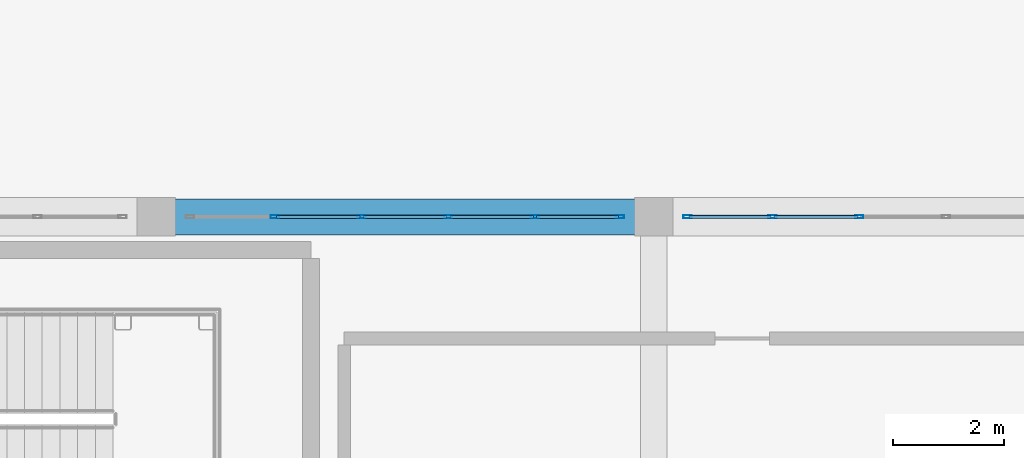
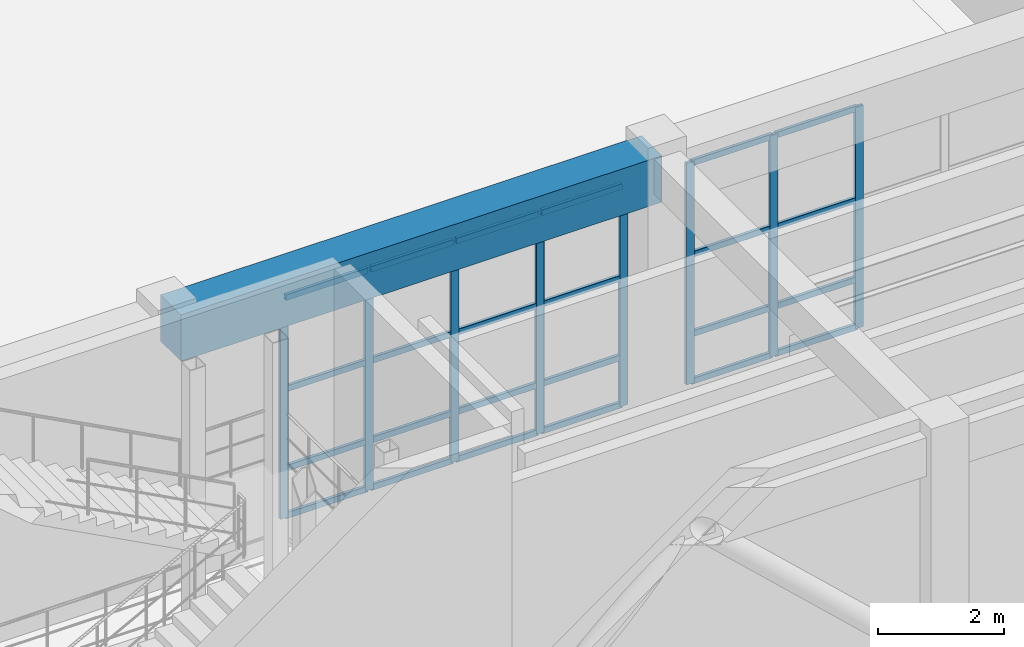
# One storey, part 72 of 128: 32 members, 1 beam, 2 elements without a shape of their own.
"""IFC4 building model written with IfcOpenShell, lengths in metres."""

import ifcopenshell
import ifcopenshell.guid

model = None  # the IFC model being written
_history = None  # IfcOwnerHistory: only IFC2X3 demands one
_inside = {}  # id of a spatial element -> (the spatial element, [elements in it])
_under = {}  # id of a project, library or spatial element -> (it, [spatial elements below it])
_declared = {}  # id of a project -> (the project, [libraries it declares])
_typed = {}  # id of a type object -> (the type object, [elements of that type])
_made_of = {}  # id of a material, layer set ... -> (it, [elements and type objects made of it])


def new_model(schema):
    """Start an empty IFC model of exactly this schema.

    Asked for "IFC4X3", IfcOpenShell would pick the latest addendum, in which some entities
    have other attributes; the version numbers below select the first issue.
    IFC2X3 requires an IfcOwnerHistory on every rooted entity: one is made here for all.
    """
    global model, _history
    if schema == "IFC4X3":
        model = ifcopenshell.file(schema_version=(4, 3, 0, 0))
    else:
        model = ifcopenshell.file(schema=schema)
    _inside.clear()
    _under.clear()
    _declared.clear()
    _typed.clear()
    _made_of.clear()
    _history = None
    if model.schema == "IFC2X3":
        org = make("IfcOrganization", Name="unknown")
        user = make(
            "IfcPersonAndOrganization",
            ThePerson=make("IfcPerson", FamilyName="unknown"),
            TheOrganization=org,
        )
        app = make(
            "IfcApplication",
            ApplicationDeveloper=org,
            Version="unknown",
            ApplicationFullName="unknown",
            ApplicationIdentifier="unknown",
        )
        _history = make(
            "IfcOwnerHistory",
            OwningUser=user,
            OwningApplication=app,
            ChangeAction="ADDED",
            CreationDate=0,
        )
    return model


def make(cls, **values):
    """One entity of the class cls with the attributes given. An attribute that is None is left unset."""
    return model.create_entity(
        cls, **{name: value for name, value in values.items() if value is not None}
    )


def rooted(cls, **values):
    """An entity with a GlobalId (a new one), such as an element, a storey or a relation."""
    return make(cls, GlobalId=ifcopenshell.guid.new(), OwnerHistory=_history, **values)


def si_unit(unit_type, name, prefix=None):
    """IfcSIUnit, for example si_unit("LENGTHUNIT", "METRE", prefix="MILLI")."""
    return make("IfcSIUnit", UnitType=unit_type, Prefix=prefix, Name=name)


def assignment(units):
    """IfcUnitAssignment: the units of a project."""
    return None if units is None else make("IfcUnitAssignment", Units=units)


def point(xyz):
    """IfcCartesianPoint."""
    return None if xyz is None else make("IfcCartesianPoint", Coordinates=xyz)


def direction(xyz):
    """IfcDirection."""
    return None if xyz is None else make("IfcDirection", DirectionRatios=xyz)


def frame(location, z_axis=None, x_axis=None):
    """IfcAxis2Placement3D, a coordinate frame: its origin and axes. An axis left out is left unset."""
    return make(
        "IfcAxis2Placement3D",
        Location=point(location),
        Axis=direction(z_axis),
        RefDirection=direction(x_axis),
    )


def frame_2d(location, x_axis=None):
    """IfcAxis2Placement2D, a coordinate frame in the plane: its origin and x axis."""
    return make(
        "IfcAxis2Placement2D", Location=point(location), RefDirection=direction(x_axis)
    )


def origin():
    """The frame at (0, 0, 0) with its axes left unset."""
    return frame((0.0, 0.0, 0.0))


def origin_2d():
    """The frame at (0, 0) in the plane with its x axis left unset."""
    return frame_2d((0.0, 0.0))


def place(relative_to, where):
    """IfcLocalPlacement: puts the frame where relative to a parent placement (None: the world)."""
    return make(
        "IfcLocalPlacement", PlacementRelTo=relative_to, RelativePlacement=where
    )


def context(
    kind, dimensions, precision=None, world=None, true_north=None, identifier=None
):
    """IfcGeometricRepresentationContext, for example the 3D "Model" context."""
    return make(
        "IfcGeometricRepresentationContext",
        ContextIdentifier=identifier,
        ContextType=kind,
        CoordinateSpaceDimension=dimensions,
        Precision=precision,
        WorldCoordinateSystem=world,
        TrueNorth=true_north,
    )


def subcontext(parent, identifier, kind, view, scale=None):
    """IfcGeometricRepresentationSubContext, for example "Body" below "Model"."""
    return make(
        "IfcGeometricRepresentationSubContext",
        ContextIdentifier=identifier,
        ContextType=kind,
        ParentContext=parent,
        TargetScale=scale,
        TargetView=view,
    )


def project(units=None, contexts=None):
    """IfcProject with its units and contexts."""
    return rooted(
        "IfcProject",
        Name="project",
        RepresentationContexts=contexts,
        UnitsInContext=assignment(units),
    )


def spatial(cls, under=None, at=None, **own):
    """A site, building, storey or space (cls), placed at a placement, below another one or the project."""
    s = rooted(cls, ObjectPlacement=at, **own)
    if under is not None:
        _under.setdefault(under.id(), (under, []))[1].append(s)
    return s


def profile(cls, at=None, kind="AREA", **sizes):
    """A parametric profile (cls). Its sizes go by their IFC names, for example OverallWidth=200.0."""
    return make(cls, ProfileType=kind, Position=at, **sizes)


def rectangle(**sizes):
    """IfcRectangleProfileDef."""
    return profile("IfcRectangleProfileDef", **sizes)


def hollow_rectangle(**sizes):
    """IfcRectangleHollowProfileDef."""
    return profile("IfcRectangleHollowProfileDef", **sizes)


def extrude(swept, where, along, depth):
    """IfcExtrudedAreaSolid: the profile swept, set in the frame where, extruded along a direction by depth."""
    return make(
        "IfcExtrudedAreaSolid",
        SweptArea=swept,
        Position=where,
        ExtrudedDirection=direction(along),
        Depth=depth,
    )


def shape(context_of_items, identifier, shape_type, items):
    """IfcShapeRepresentation: the items that make up one representation, for example the "Body"."""
    return make(
        "IfcShapeRepresentation",
        ContextOfItems=context_of_items,
        RepresentationIdentifier=identifier,
        RepresentationType=shape_type,
        Items=items,
    )


def material(Name=None, Category=None):
    """IfcMaterial."""
    return make("IfcMaterial", Name=Name, Category=Category)


def material_profile(
    of_material, cross_section, Name=None, Category=None, Priority=None
):
    """IfcMaterialProfile: a cross section and its material."""
    return make(
        "IfcMaterialProfile",
        Name=Name,
        Material=of_material,
        Profile=cross_section,
        Priority=Priority,
        Category=Category,
    )


def profile_set(profiles, Name=None, composite=None):
    """IfcMaterialProfileSet."""
    return make(
        "IfcMaterialProfileSet",
        Name=Name,
        MaterialProfiles=profiles,
        CompositeProfile=composite,
    )


def made_of(thing, what):
    """Note that an element or type object is made of a material, layer set ...; save() writes the relation."""
    if what is not None:
        _made_of.setdefault(what.id(), (what, []))[1].append(thing)
    return thing


def type_object(cls, material=None, **own):
    """A type object (cls), such as IfcWallType, which elements share."""
    return made_of(rooted(cls, **own), material)


def element(
    cls,
    number,
    at=None,
    inside=None,
    cuts=None,
    type_object=None,
    material=None,
    context=None,
    identifier="Body",
    shape_type=None,
    held_by="IfcProductDefinitionShape",
    body=None,
    shapes=None,
    **own,
):
    """One element of the class cls, such as IfcWall. Its Tag is "e" and its number.

    at: its placement. inside: the storey or other place that contains it. cuts: it is an
    opening in that element (IfcRelVoidsElement). A single representation is given by context,
    identifier, shape_type and body (its items); several are given by shapes. held_by: the class
    of the entity that holds the representations. save() writes the other relations.
    """
    e = rooted(cls, Tag="e%d" % number, ObjectPlacement=at, **own)
    if body is not None:
        shapes = [shape(context, identifier, shape_type, body)]
    if shapes is not None:
        e.Representation = make(held_by, Representations=shapes)
    if inside is not None:
        _inside.setdefault(inside.id(), (inside, []))[1].append(e)
    if cuts is not None:
        rooted(
            "IfcRelVoidsElement", RelatingBuildingElement=cuts, RelatedOpeningElement=e
        )
    if type_object is not None:
        _typed.setdefault(type_object.id(), (type_object, []))[1].append(e)
    return made_of(e, material)


def aggregate(whole, parts):
    """IfcRelAggregates: a whole, such as a stair, and the parts it consists of."""
    return rooted("IfcRelAggregates", RelatingObject=whole, RelatedObjects=parts)


def save(model, path):
    """Write the relations noted so far, then the file.

    IfcRelAggregates (storeys below a building ...), IfcRelContainedInSpatialStructure (elements
    in a storey), IfcRelDefinesByType, IfcRelAssociatesMaterial and IfcRelDeclares: one each for
    every whole, place, type object, material and project.
    """
    for whole, parts in _under.values():
        aggregate(whole, parts)
    for where, things in _inside.values():
        rooted(
            "IfcRelContainedInSpatialStructure",
            RelatedElements=things,
            RelatingStructure=where,
        )
    for kind, things in _typed.values():
        rooted("IfcRelDefinesByType", RelatedObjects=things, RelatingType=kind)
    for what, things in _made_of.values():
        rooted("IfcRelAssociatesMaterial", RelatedObjects=things, RelatingMaterial=what)
    for by, libraries in _declared.values():
        rooted("IfcRelDeclares", RelatingContext=by, RelatedDefinitions=libraries)
    model.write(path)


model = new_model("IFC4")

# Units and contexts
model_context = context("Model", 3, precision=1e-05, world=origin(), true_north=direction((0.0, 1.0)))
body_context = subcontext(model_context, "Body", "Model", "MODEL_VIEW")
ifc_project = project(units=[si_unit("LENGTHUNIT", "METRE"), si_unit("AREAUNIT", "SQUARE_METRE"), si_unit("VOLUMEUNIT", "CUBIC_METRE"), si_unit("PLANEANGLEUNIT", "RADIAN"), si_unit("MASSUNIT", "GRAM", prefix="KILO")], contexts=[model_context])

# Site, building, storey
site_placement = place(None, origin())
site = spatial("IfcSite", under=ifc_project, at=site_placement, CompositionType="ELEMENT")
building_placement = place(site_placement, origin())
building = spatial("IfcBuilding", under=site, at=building_placement, Name="Miravela Opera House", CompositionType="ELEMENT")
storey_placement = place(building_placement, origin())
storey = spatial("IfcBuildingStorey", under=building, at=storey_placement, Name="L00", CompositionType="ELEMENT", Elevation=0.0)

# Curtain wall, members
ifc_material_1 = material(Name="Anodised architectural bronze aluminium 6063-T6", Category="aluminium")
curtain_wall_type = type_object("IfcCurtainWallType", Name="ARC-CW-06", PredefinedType="NOTDEFINED", material=ifc_material_1)
curtain_wall_1_placement = place(storey_placement, origin())
curtain_wall_1 = element("IfcCurtainWall", 1, at=curtain_wall_1_placement, inside=storey, type_object=curtain_wall_type, Name="Courtyard Arcade Curtain Wall CW-L00-163", PredefinedType="NOTDEFINED")
ifc_material_profile_1 = material_profile(ifc_material_1, hollow_rectangle(XDim=0.06005859375, YDim=0.14990234375, WallThickness=0.00390625, InnerFilletRadius=0.001953125, OuterFilletRadius=0.00390625, at=origin_2d()), Name="CWM-60X150")
ifc_profile_set_1 = profile_set([ifc_material_profile_1])
member_type_1 = type_object("IfcMemberType", Name="ARC-CWM-150", PredefinedType="MULLION", material=ifc_profile_set_1)
member_1_placement = place(storey_placement, frame((128.14794921875, 9.0, 0.0), z_axis=(0.0, 0.0, 1.0), x_axis=(0.0, 1.0, 0.0)))
member_1 = element("IfcMember", 2, at=member_1_placement, type_object=member_type_1, Name="CW-06 mullion 2", PredefinedType="MULLION", context=body_context, shape_type="SweptSolid", body=[
    extrude(hollow_rectangle(XDim=0.06005859375, YDim=0.14990234375, WallThickness=0.00390625, InnerFilletRadius=0.001953125, OuterFilletRadius=0.00390625, at=origin_2d()), origin(), (0.0, 0.0, 1.0), 4.300048828125),
])
member_2_placement = place(storey_placement, frame((129.716064453125, 9.0, 0.0), z_axis=(0.0, 0.0, 1.0), x_axis=(0.0, 1.0, 0.0)))
member_2 = element("IfcMember", 3, at=member_2_placement, type_object=member_type_1, Name="CW-06 mullion 3", PredefinedType="MULLION", context=body_context, shape_type="SweptSolid", body=[
    extrude(hollow_rectangle(XDim=0.06005859375, YDim=0.14990234375, WallThickness=0.00390625, InnerFilletRadius=0.001953125, OuterFilletRadius=0.00390625, at=origin_2d()), origin(), (0.0, 0.0, 1.0), 4.300048828125),
])
member_3_placement = place(storey_placement, frame((131.283935546875, 9.0, 0.0), z_axis=(0.0, 0.0, 1.0), x_axis=(0.0, 1.0, 0.0)))
member_3 = element("IfcMember", 4, at=member_3_placement, type_object=member_type_1, Name="CW-06 mullion 4", PredefinedType="MULLION", context=body_context, shape_type="SweptSolid", body=[
    extrude(hollow_rectangle(XDim=0.06005859375, YDim=0.14990234375, WallThickness=0.00390625, InnerFilletRadius=0.001953125, OuterFilletRadius=0.00390625, at=origin_2d()), origin(), (0.0, 0.0, 1.0), 4.300048828125),
])
member_4_placement = place(storey_placement, frame((132.85205078125, 9.0, 0.0), z_axis=(0.0, 0.0, 1.0), x_axis=(0.0, 1.0, 0.0)))
member_4 = element("IfcMember", 5, at=member_4_placement, type_object=member_type_1, Name="CW-06 mullion 5", PredefinedType="MULLION", context=body_context, shape_type="SweptSolid", body=[
    extrude(hollow_rectangle(XDim=0.06005859375, YDim=0.14990234375, WallThickness=0.00390625, InnerFilletRadius=0.001953125, OuterFilletRadius=0.00390625, at=origin_2d()), origin(), (0.0, 0.0, 1.0), 4.300048828125),
])
member_5_placement = place(storey_placement, frame((134.389892578125, 9.0, 0.0), z_axis=(0.0, 0.0, 1.0), x_axis=(0.0, 1.0, 0.0)))
member_5 = element("IfcMember", 6, at=member_5_placement, type_object=member_type_1, Name="CW-06 mullion 6", PredefinedType="MULLION", context=body_context, shape_type="SweptSolid", body=[
    extrude(hollow_rectangle(XDim=0.06005859375, YDim=0.14990234375, WallThickness=0.00390625, InnerFilletRadius=0.001953125, OuterFilletRadius=0.00390625, at=origin_2d()), origin(), (0.0, 0.0, 1.0), 4.300048828125),
])

curtain_wall_2_placement = place(storey_placement, origin())
curtain_wall_2 = element("IfcCurtainWall", 7, at=curtain_wall_2_placement, inside=storey, type_object=curtain_wall_type, Name="Courtyard Arcade Curtain Wall CW-L00-167", PredefinedType="NOTDEFINED")
member_6_placement = place(storey_placement, frame((135.610107421875, 9.0, 0.0), z_axis=(0.0, 0.0, 1.0), x_axis=(0.0, 1.0, 0.0)))
member_6 = element("IfcMember", 8, at=member_6_placement, type_object=member_type_1, Name="CW-06 mullion 1", PredefinedType="MULLION", context=body_context, shape_type="SweptSolid", body=[
    extrude(hollow_rectangle(XDim=0.06005859375, YDim=0.14990234375, WallThickness=0.00390625, InnerFilletRadius=0.001953125, OuterFilletRadius=0.00390625, at=origin_2d()), origin(), (0.0, 0.0, 1.0), 4.300048828125),
])
member_7_placement = place(storey_placement, frame((137.14794921875, 9.0, 0.0), z_axis=(0.0, 0.0, 1.0), x_axis=(0.0, 1.0, 0.0)))
member_7 = element("IfcMember", 9, at=member_7_placement, type_object=member_type_1, Name="CW-06 mullion 2", PredefinedType="MULLION", context=body_context, shape_type="SweptSolid", body=[
    extrude(hollow_rectangle(XDim=0.06005859375, YDim=0.14990234375, WallThickness=0.00390625, InnerFilletRadius=0.001953125, OuterFilletRadius=0.00390625, at=origin_2d()), origin(), (0.0, 0.0, 1.0), 4.300048828125),
])
member_8_placement = place(storey_placement, frame((138.716064453125, 9.0, 0.0), z_axis=(0.0, 0.0, 1.0), x_axis=(0.0, 1.0, 0.0)))
member_8 = element("IfcMember", 10, at=member_8_placement, type_object=member_type_1, Name="CW-06 mullion 3", PredefinedType="MULLION", context=body_context, shape_type="SweptSolid", body=[
    extrude(hollow_rectangle(XDim=0.06005859375, YDim=0.14990234375, WallThickness=0.00390625, InnerFilletRadius=0.001953125, OuterFilletRadius=0.00390625, at=origin_2d()), origin(), (0.0, 0.0, 1.0), 4.300048828125),
])

# Member
ifc_material_profile_2 = material_profile(ifc_material_1, hollow_rectangle(XDim=0.06005859375, YDim=0.114990234375, WallThickness=0.00390625, InnerFilletRadius=0.001953125, OuterFilletRadius=0.00390625, at=origin_2d()), Name="CWT-60X115")
ifc_profile_set_2 = profile_set([ifc_material_profile_2])
member_type_2 = type_object("IfcMemberType", Name="ARC-CWT-115", PredefinedType="USERDEFINED", material=ifc_profile_set_2)
member_9_placement = place(storey_placement, frame((128.177978515625, 9.0, 0.030029296875), z_axis=(1.0, 0.0, 0.0), x_axis=(0.0, 1.0, 0.0)))
member_9 = element("IfcMember", 11, at=member_9_placement, type_object=member_type_2, Name="CW-06 transom 2.1", ObjectType="TRANSOM", PredefinedType="USERDEFINED", context=body_context, shape_type="SweptSolid", body=[
    extrude(hollow_rectangle(XDim=0.06005859375, YDim=0.114990234375, WallThickness=0.00390625, InnerFilletRadius=0.001953125, OuterFilletRadius=0.00390625, at=origin_2d()), origin(), (0.0, 0.0, 1.0), 1.508056640625),
])

member_10_placement = place(storey_placement, frame((128.177978515625, 9.0, 0.949951171875), z_axis=(1.0, 0.0, 0.0), x_axis=(0.0, 1.0, 0.0)))
member_10 = element("IfcMember", 12, at=member_10_placement, type_object=member_type_2, Name="CW-06 transom 2.2", ObjectType="TRANSOM", PredefinedType="USERDEFINED", context=body_context, shape_type="SweptSolid", body=[
    extrude(hollow_rectangle(XDim=0.06005859375, YDim=0.114990234375, WallThickness=0.00390625, InnerFilletRadius=0.001953125, OuterFilletRadius=0.00390625, at=origin_2d()), origin(), (0.0, 0.0, 1.0), 1.508056640625),
])

member_11_placement = place(storey_placement, frame((128.177978515625, 9.0, 2.493896484375), z_axis=(1.0, 0.0, 0.0), x_axis=(0.0, 1.0, 0.0)))
member_11 = element("IfcMember", 13, at=member_11_placement, type_object=member_type_2, Name="CW-06 transom 2.3", ObjectType="TRANSOM", PredefinedType="USERDEFINED", context=body_context, shape_type="SweptSolid", body=[
    extrude(hollow_rectangle(XDim=0.06005859375, YDim=0.114990234375, WallThickness=0.00390625, InnerFilletRadius=0.001953125, OuterFilletRadius=0.00390625, at=origin_2d()), origin(), (0.0, 0.0, 1.0), 1.508056640625),
])

member_12_placement = place(storey_placement, frame((128.177978515625, 9.0, 4.27001953125), z_axis=(1.0, 0.0, 0.0), x_axis=(0.0, 1.0, 0.0)))
member_12 = element("IfcMember", 14, at=member_12_placement, type_object=member_type_2, Name="CW-06 transom 2.4", ObjectType="TRANSOM", PredefinedType="USERDEFINED", context=body_context, shape_type="SweptSolid", body=[
    extrude(hollow_rectangle(XDim=0.06005859375, YDim=0.114990234375, WallThickness=0.00390625, InnerFilletRadius=0.001953125, OuterFilletRadius=0.00390625, at=origin_2d()), origin(), (0.0, 0.0, 1.0), 1.508056640625),
])

member_13_placement = place(storey_placement, frame((129.74609375, 9.0, 0.030029296875), z_axis=(1.0, 0.0, 0.0), x_axis=(0.0, 1.0, 0.0)))
member_13 = element("IfcMember", 15, at=member_13_placement, type_object=member_type_2, Name="CW-06 transom 3.1", ObjectType="TRANSOM", PredefinedType="USERDEFINED", context=body_context, shape_type="SweptSolid", body=[
    extrude(hollow_rectangle(XDim=0.06005859375, YDim=0.114990234375, WallThickness=0.00390625, InnerFilletRadius=0.001953125, OuterFilletRadius=0.00390625, at=origin_2d()), origin(), (0.0, 0.0, 1.0), 1.5078125),
])

member_14_placement = place(storey_placement, frame((129.74609375, 9.0, 0.949951171875), z_axis=(1.0, 0.0, 0.0), x_axis=(0.0, 1.0, 0.0)))
member_14 = element("IfcMember", 16, at=member_14_placement, type_object=member_type_2, Name="CW-06 transom 3.2", ObjectType="TRANSOM", PredefinedType="USERDEFINED", context=body_context, shape_type="SweptSolid", body=[
    extrude(hollow_rectangle(XDim=0.06005859375, YDim=0.114990234375, WallThickness=0.00390625, InnerFilletRadius=0.001953125, OuterFilletRadius=0.00390625, at=origin_2d()), origin(), (0.0, 0.0, 1.0), 1.5078125),
])

member_15_placement = place(storey_placement, frame((129.74609375, 9.0, 2.493896484375), z_axis=(1.0, 0.0, 0.0), x_axis=(0.0, 1.0, 0.0)))
member_15 = element("IfcMember", 17, at=member_15_placement, type_object=member_type_2, Name="CW-06 transom 3.3", ObjectType="TRANSOM", PredefinedType="USERDEFINED", context=body_context, shape_type="SweptSolid", body=[
    extrude(hollow_rectangle(XDim=0.06005859375, YDim=0.114990234375, WallThickness=0.00390625, InnerFilletRadius=0.001953125, OuterFilletRadius=0.00390625, at=origin_2d()), origin(), (0.0, 0.0, 1.0), 1.5078125),
])

member_16_placement = place(storey_placement, frame((129.74609375, 9.0, 4.27001953125), z_axis=(1.0, 0.0, 0.0), x_axis=(0.0, 1.0, 0.0)))
member_16 = element("IfcMember", 18, at=member_16_placement, type_object=member_type_2, Name="CW-06 transom 3.4", ObjectType="TRANSOM", PredefinedType="USERDEFINED", context=body_context, shape_type="SweptSolid", body=[
    extrude(hollow_rectangle(XDim=0.06005859375, YDim=0.114990234375, WallThickness=0.00390625, InnerFilletRadius=0.001953125, OuterFilletRadius=0.00390625, at=origin_2d()), origin(), (0.0, 0.0, 1.0), 1.5078125),
])

member_17_placement = place(storey_placement, frame((131.31396484375, 9.0, 0.030029296875), z_axis=(1.0, 0.0, 0.0), x_axis=(0.0, 1.0, 0.0)))
member_17 = element("IfcMember", 19, at=member_17_placement, type_object=member_type_2, Name="CW-06 transom 4.1", ObjectType="TRANSOM", PredefinedType="USERDEFINED", context=body_context, shape_type="SweptSolid", body=[
    extrude(hollow_rectangle(XDim=0.06005859375, YDim=0.114990234375, WallThickness=0.00390625, InnerFilletRadius=0.001953125, OuterFilletRadius=0.00390625, at=origin_2d()), origin(), (0.0, 0.0, 1.0), 1.508056640625),
])

member_18_placement = place(storey_placement, frame((131.31396484375, 9.0, 0.949951171875), z_axis=(1.0, 0.0, 0.0), x_axis=(0.0, 1.0, 0.0)))
member_18 = element("IfcMember", 20, at=member_18_placement, type_object=member_type_2, Name="CW-06 transom 4.2", ObjectType="TRANSOM", PredefinedType="USERDEFINED", context=body_context, shape_type="SweptSolid", body=[
    extrude(hollow_rectangle(XDim=0.06005859375, YDim=0.114990234375, WallThickness=0.00390625, InnerFilletRadius=0.001953125, OuterFilletRadius=0.00390625, at=origin_2d()), origin(), (0.0, 0.0, 1.0), 1.508056640625),
])

member_19_placement = place(storey_placement, frame((131.31396484375, 9.0, 2.493896484375), z_axis=(1.0, 0.0, 0.0), x_axis=(0.0, 1.0, 0.0)))
member_19 = element("IfcMember", 21, at=member_19_placement, type_object=member_type_2, Name="CW-06 transom 4.3", ObjectType="TRANSOM", PredefinedType="USERDEFINED", context=body_context, shape_type="SweptSolid", body=[
    extrude(hollow_rectangle(XDim=0.06005859375, YDim=0.114990234375, WallThickness=0.00390625, InnerFilletRadius=0.001953125, OuterFilletRadius=0.00390625, at=origin_2d()), origin(), (0.0, 0.0, 1.0), 1.508056640625),
])

member_20_placement = place(storey_placement, frame((131.31396484375, 9.0, 4.27001953125), z_axis=(1.0, 0.0, 0.0), x_axis=(0.0, 1.0, 0.0)))
member_20 = element("IfcMember", 22, at=member_20_placement, type_object=member_type_2, Name="CW-06 transom 4.4", ObjectType="TRANSOM", PredefinedType="USERDEFINED", context=body_context, shape_type="SweptSolid", body=[
    extrude(hollow_rectangle(XDim=0.06005859375, YDim=0.114990234375, WallThickness=0.00390625, InnerFilletRadius=0.001953125, OuterFilletRadius=0.00390625, at=origin_2d()), origin(), (0.0, 0.0, 1.0), 1.508056640625),
])

member_21_placement = place(storey_placement, frame((132.882080078125, 9.0, 0.030029296875), z_axis=(1.0, 0.0, 0.0), x_axis=(0.0, 1.0, 0.0)))
member_21 = element("IfcMember", 23, at=member_21_placement, type_object=member_type_2, Name="CW-06 transom 5.1", ObjectType="TRANSOM", PredefinedType="USERDEFINED", context=body_context, shape_type="SweptSolid", body=[
    extrude(hollow_rectangle(XDim=0.06005859375, YDim=0.114990234375, WallThickness=0.00390625, InnerFilletRadius=0.001953125, OuterFilletRadius=0.00390625, at=origin_2d()), origin(), (0.0, 0.0, 1.0), 1.47802734375),
])

member_22_placement = place(storey_placement, frame((132.882080078125, 9.0, 0.949951171875), z_axis=(1.0, 0.0, 0.0), x_axis=(0.0, 1.0, 0.0)))
member_22 = element("IfcMember", 24, at=member_22_placement, type_object=member_type_2, Name="CW-06 transom 5.2", ObjectType="TRANSOM", PredefinedType="USERDEFINED", context=body_context, shape_type="SweptSolid", body=[
    extrude(hollow_rectangle(XDim=0.06005859375, YDim=0.114990234375, WallThickness=0.00390625, InnerFilletRadius=0.001953125, OuterFilletRadius=0.00390625, at=origin_2d()), origin(), (0.0, 0.0, 1.0), 1.47802734375),
])

member_23_placement = place(storey_placement, frame((132.882080078125, 9.0, 2.493896484375), z_axis=(1.0, 0.0, 0.0), x_axis=(0.0, 1.0, 0.0)))
member_23 = element("IfcMember", 25, at=member_23_placement, type_object=member_type_2, Name="CW-06 transom 5.3", ObjectType="TRANSOM", PredefinedType="USERDEFINED", context=body_context, shape_type="SweptSolid", body=[
    extrude(hollow_rectangle(XDim=0.06005859375, YDim=0.114990234375, WallThickness=0.00390625, InnerFilletRadius=0.001953125, OuterFilletRadius=0.00390625, at=origin_2d()), origin(), (0.0, 0.0, 1.0), 1.47802734375),
])

member_24_placement = place(storey_placement, frame((132.882080078125, 9.0, 4.27001953125), z_axis=(1.0, 0.0, 0.0), x_axis=(0.0, 1.0, 0.0)))
member_24 = element("IfcMember", 26, at=member_24_placement, type_object=member_type_2, Name="CW-06 transom 5.4", ObjectType="TRANSOM", PredefinedType="USERDEFINED", context=body_context, shape_type="SweptSolid", body=[
    extrude(hollow_rectangle(XDim=0.06005859375, YDim=0.114990234375, WallThickness=0.00390625, InnerFilletRadius=0.001953125, OuterFilletRadius=0.00390625, at=origin_2d()), origin(), (0.0, 0.0, 1.0), 1.47802734375),
])

aggregate(curtain_wall_1, [member_1, member_2, member_3, member_4, member_5, member_9, member_10, member_11, member_12, member_13, member_14, member_15, member_16, member_17, member_18, member_19, member_20, member_21, member_22, member_23, member_24])

member_25_placement = place(storey_placement, frame((135.639892578125, 9.0, 0.030029296875), z_axis=(1.0, 0.0, 0.0), x_axis=(0.0, 1.0, 0.0)))
member_25 = element("IfcMember", 27, at=member_25_placement, type_object=member_type_2, Name="CW-06 transom 1.1", ObjectType="TRANSOM", PredefinedType="USERDEFINED", context=body_context, shape_type="SweptSolid", body=[
    extrude(hollow_rectangle(XDim=0.06005859375, YDim=0.114990234375, WallThickness=0.00390625, InnerFilletRadius=0.001953125, OuterFilletRadius=0.00390625, at=origin_2d()), origin(), (0.0, 0.0, 1.0), 1.47802734375),
])

member_26_placement = place(storey_placement, frame((135.639892578125, 9.0, 0.949951171875), z_axis=(1.0, 0.0, 0.0), x_axis=(0.0, 1.0, 0.0)))
member_26 = element("IfcMember", 28, at=member_26_placement, type_object=member_type_2, Name="CW-06 transom 1.2", ObjectType="TRANSOM", PredefinedType="USERDEFINED", context=body_context, shape_type="SweptSolid", body=[
    extrude(hollow_rectangle(XDim=0.06005859375, YDim=0.114990234375, WallThickness=0.00390625, InnerFilletRadius=0.001953125, OuterFilletRadius=0.00390625, at=origin_2d()), origin(), (0.0, 0.0, 1.0), 1.47802734375),
])

member_27_placement = place(storey_placement, frame((135.639892578125, 9.0, 2.493896484375), z_axis=(1.0, 0.0, 0.0), x_axis=(0.0, 1.0, 0.0)))
member_27 = element("IfcMember", 29, at=member_27_placement, type_object=member_type_2, Name="CW-06 transom 1.3", ObjectType="TRANSOM", PredefinedType="USERDEFINED", context=body_context, shape_type="SweptSolid", body=[
    extrude(hollow_rectangle(XDim=0.06005859375, YDim=0.114990234375, WallThickness=0.00390625, InnerFilletRadius=0.001953125, OuterFilletRadius=0.00390625, at=origin_2d()), origin(), (0.0, 0.0, 1.0), 1.47802734375),
])

member_28_placement = place(storey_placement, frame((135.639892578125, 9.0, 4.27001953125), z_axis=(1.0, 0.0, 0.0), x_axis=(0.0, 1.0, 0.0)))
member_28 = element("IfcMember", 30, at=member_28_placement, type_object=member_type_2, Name="CW-06 transom 1.4", ObjectType="TRANSOM", PredefinedType="USERDEFINED", context=body_context, shape_type="SweptSolid", body=[
    extrude(hollow_rectangle(XDim=0.06005859375, YDim=0.114990234375, WallThickness=0.00390625, InnerFilletRadius=0.001953125, OuterFilletRadius=0.00390625, at=origin_2d()), origin(), (0.0, 0.0, 1.0), 1.47802734375),
])

member_29_placement = place(storey_placement, frame((137.177978515625, 9.0, 0.030029296875), z_axis=(1.0, 0.0, 0.0), x_axis=(0.0, 1.0, 0.0)))
member_29 = element("IfcMember", 31, at=member_29_placement, type_object=member_type_2, Name="CW-06 transom 2.1", ObjectType="TRANSOM", PredefinedType="USERDEFINED", context=body_context, shape_type="SweptSolid", body=[
    extrude(hollow_rectangle(XDim=0.06005859375, YDim=0.114990234375, WallThickness=0.00390625, InnerFilletRadius=0.001953125, OuterFilletRadius=0.00390625, at=origin_2d()), origin(), (0.0, 0.0, 1.0), 1.508056640625),
])

member_30_placement = place(storey_placement, frame((137.177978515625, 9.0, 0.949951171875), z_axis=(1.0, 0.0, 0.0), x_axis=(0.0, 1.0, 0.0)))
member_30 = element("IfcMember", 32, at=member_30_placement, type_object=member_type_2, Name="CW-06 transom 2.2", ObjectType="TRANSOM", PredefinedType="USERDEFINED", context=body_context, shape_type="SweptSolid", body=[
    extrude(hollow_rectangle(XDim=0.06005859375, YDim=0.114990234375, WallThickness=0.00390625, InnerFilletRadius=0.001953125, OuterFilletRadius=0.00390625, at=origin_2d()), origin(), (0.0, 0.0, 1.0), 1.508056640625),
])

member_31_placement = place(storey_placement, frame((137.177978515625, 9.0, 2.493896484375), z_axis=(1.0, 0.0, 0.0), x_axis=(0.0, 1.0, 0.0)))
member_31 = element("IfcMember", 33, at=member_31_placement, type_object=member_type_2, Name="CW-06 transom 2.3", ObjectType="TRANSOM", PredefinedType="USERDEFINED", context=body_context, shape_type="SweptSolid", body=[
    extrude(hollow_rectangle(XDim=0.06005859375, YDim=0.114990234375, WallThickness=0.00390625, InnerFilletRadius=0.001953125, OuterFilletRadius=0.00390625, at=origin_2d()), origin(), (0.0, 0.0, 1.0), 1.508056640625),
])

member_32_placement = place(storey_placement, frame((137.177978515625, 9.0, 4.27001953125), z_axis=(1.0, 0.0, 0.0), x_axis=(0.0, 1.0, 0.0)))
member_32 = element("IfcMember", 34, at=member_32_placement, type_object=member_type_2, Name="CW-06 transom 2.4", ObjectType="TRANSOM", PredefinedType="USERDEFINED", context=body_context, shape_type="SweptSolid", body=[
    extrude(hollow_rectangle(XDim=0.06005859375, YDim=0.114990234375, WallThickness=0.00390625, InnerFilletRadius=0.001953125, OuterFilletRadius=0.00390625, at=origin_2d()), origin(), (0.0, 0.0, 1.0), 1.508056640625),
])

aggregate(curtain_wall_2, [member_6, member_7, member_8, member_25, member_26, member_27, member_28, member_29, member_30, member_31, member_32])

# Beam
ifc_material_2 = material(Name="Concrete C40/50", Category="concrete")
ifc_material_profile_3 = material_profile(ifc_material_2, rectangle(XDim=0.64990234375, YDim=0.89990234375, at=origin_2d()), Name="RC-BM-650X900")
ifc_profile_set_3 = profile_set([ifc_material_profile_3])
beam_type = type_object("IfcBeamType", Name="STR-BM-RC650X900", PredefinedType="BEAM", material=ifc_profile_set_3)
beam_placement = place(storey_placement, frame((126.080078125, 9.0, 4.39990234375), z_axis=(1.0, 0.0, 0.0), x_axis=(0.0, 1.0, 0.0)))
element("IfcBeam", 35, at=beam_placement, inside=storey, type_object=beam_type, Name="Floor Girder L00 15-16/B", PredefinedType="BEAM", context=body_context, shape_type="SweptSolid", body=[
    extrude(rectangle(XDim=0.64990234375, YDim=0.89990234375, at=origin_2d()), origin(), (0.0, 0.0, 1.0), 8.83984375),
])

save(model, "model.ifc")
